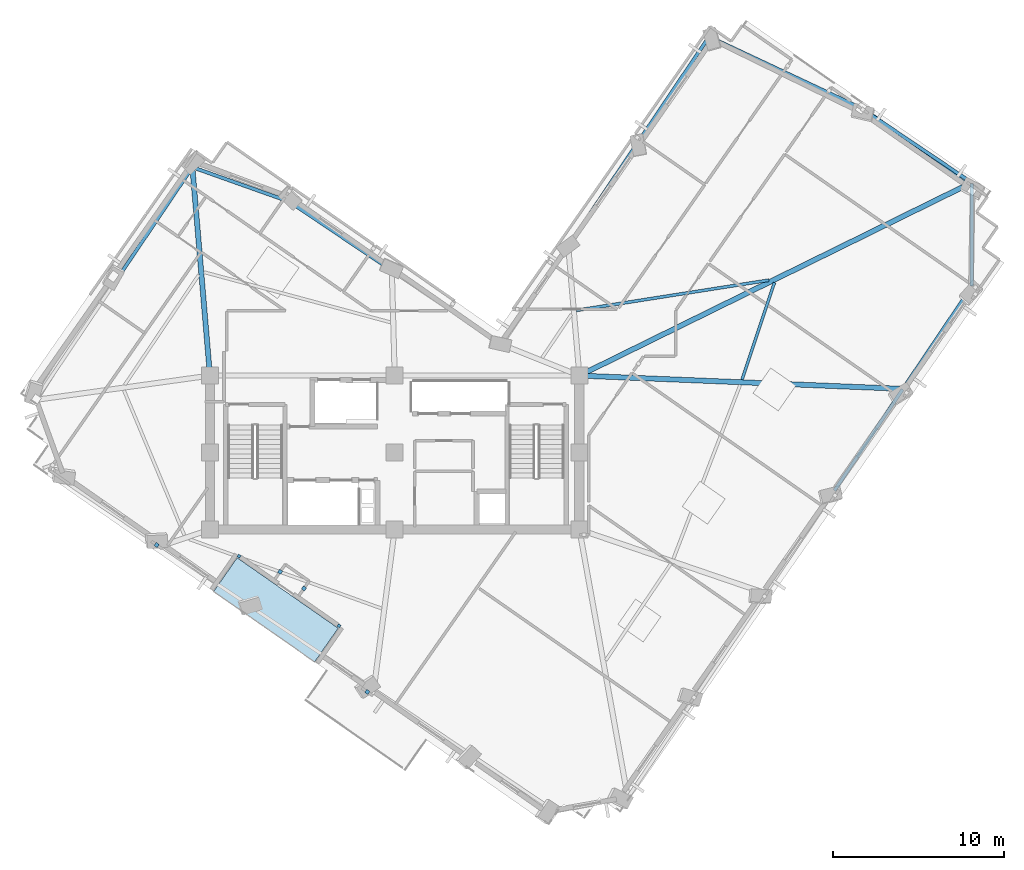
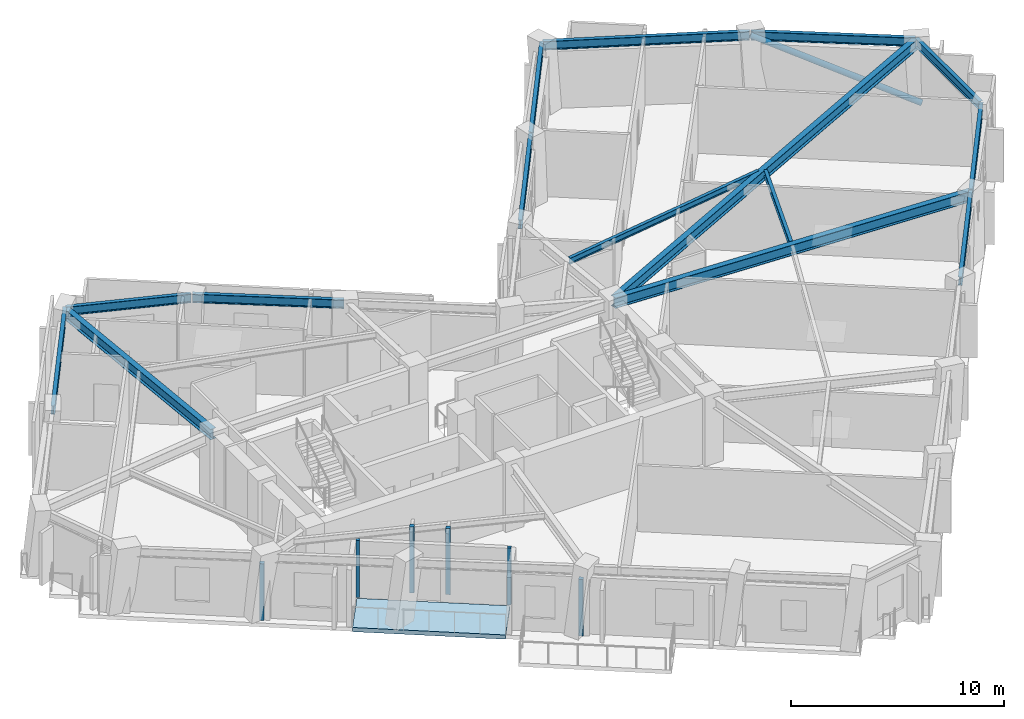
# One storey, part 2 of 12: 15 beams, 6 plates, 1 member, 1 slab.
"""IFC4 building model written with IfcOpenShell, lengths in metres."""

from ifc_helpers import new_model, si_unit, direction, frame, origin, origin_2d, place, context, subcontext, project, spatial, polyline, rectangle, hollow_circle, i_section, outline, extrude, material, layer, layer_set, material_profile, profile_set, type_object, element, save


model = new_model("IFC4")

# Units and contexts
model_context = context("Model", 3, precision=1e-05, world=origin(), true_north=direction((0.0, 1.0)))
body_context = subcontext(model_context, "Body", "Model", "MODEL_VIEW")
ifc_project = project(units=[si_unit("LENGTHUNIT", "METRE"), si_unit("AREAUNIT", "SQUARE_METRE"), si_unit("VOLUMEUNIT", "CUBIC_METRE"), si_unit("PLANEANGLEUNIT", "RADIAN"), si_unit("MASSUNIT", "GRAM", prefix="KILO")], contexts=[model_context])

# Site, building, storey
site_placement = place(None, origin())
site = spatial("IfcSite", under=ifc_project, at=site_placement, CompositionType="ELEMENT")
building_placement = place(site_placement, origin())
building = spatial("IfcBuilding", under=site, at=building_placement, Name="Gaonmaruhae Medical Tower", CompositionType="ELEMENT")
storey_placement = place(building_placement, frame((0.0, 0.0, 259.199951171875)))
storey = spatial("IfcBuildingStorey", under=building, at=storey_placement, Name="L62", CompositionType="ELEMENT", Elevation=259.199951171875)

# Beams
ifc_material_1 = material(Name="Steel SM355", Category="steel")
ifc_material_profile_1 = material_profile(ifc_material_1, i_section(OverallWidth=0.175048828125, OverallDepth=0.35009765625, WebThickness=0.007080078125, FlangeThickness=0.010986328125, FilletRadius=0.012939453125, at=origin_2d()), Name="H-350x175x7x11")
ifc_profile_set_1 = profile_set([ifc_material_profile_1], Name="Steel SM355")
beam_type_1 = type_object("IfcBeamType", Name="FJ-02 Upper Zone Ward Floor Joist (H-350x175x7x11)", PredefinedType="JOIST", material=ifc_profile_set_1)
beam_1_placement = place(storey_placement, frame((45.1083984375, 16.565673828125, 3.60498046875), z_axis=(0.316276775426, 0.948666960174, 0.0), x_axis=(-0.948666960174, 0.316276775426, 0.0)))
element("IfcBeam", 1, at=beam_1_placement, inside=storey, type_object=beam_type_1, Name="L62 Secondary Floor Joist FJ03", PredefinedType="JOIST", context=body_context, shape_type="SweptSolid", body=[
    extrude(i_section(OverallWidth=0.175048828125, OverallDepth=0.35009765625, WebThickness=0.007080078125, FlangeThickness=0.010986328125, FilletRadius=0.012939453125, at=origin_2d()), origin(), (0.0, 0.0, 1.0), 5.977783203125),
])
beam_2_placement = place(storey_placement, frame((46.671630859375, 22.380126953125, 3.60498046875), z_axis=(-0.987881447694, -0.155210326016, 0.0), x_axis=(0.155210326016, -0.987881447694, 0.0)))
element("IfcBeam", 2, at=beam_2_placement, inside=storey, type_object=beam_type_1, Name="L62 Secondary Floor Joist FJ04", PredefinedType="JOIST", context=body_context, shape_type="SweptSolid", body=[
    extrude(i_section(OverallWidth=0.175048828125, OverallDepth=0.35009765625, WebThickness=0.007080078125, FlangeThickness=0.010986328125, FilletRadius=0.012939453125, at=origin_2d()), origin(), (0.0, 0.0, 1.0), 11.383544921875),
])

# Member
ifc_material_profile_2 = material_profile(ifc_material_1, hollow_circle(Radius=0.1591796875, WallThickness=0.01025390625, at=origin_2d()), Name="CHS-318.5x10.3")
ifc_profile_set_2 = profile_set([ifc_material_profile_2], Name="Steel SM355")
member_type = type_object("IfcMemberType", Name="PB-03 Perimeter Solid-Bay Tube Brace Upper (CHS-318.5x10.3)", PredefinedType="BRACE", material=ifc_profile_set_2)
member_placement = place(storey_placement, frame((58.586181640625, 27.670654296875, 0.25), z_axis=(-0.747873167162, 0.546990044431, 0.376148397754), x_axis=(-0.590345341005, -0.807150777955, 0.0)))
element("IfcMember", 3, at=member_placement, inside=storey, type_object=member_type, Name="L62 Perimeter Tube Solid-Bay Brace E01-E02", PredefinedType="BRACE", context=body_context, shape_type="SweptSolid", body=[
    extrude(hollow_circle(Radius=0.1591796875, WallThickness=0.01025390625, at=origin_2d()), origin(), (0.0, 0.0, 1.0), 8.719970703125),
])

# Beams
ifc_material_2 = material(Name="Steel SM420", Category="steel")
ifc_material_profile_3 = material_profile(ifc_material_2, i_section(OverallWidth=0.300048828125, OverallDepth=0.60009765625, WebThickness=0.011962890625, FlangeThickness=0.02001953125, FilletRadius=0.012939453125, at=origin_2d()), Name="H-600x300x12x20")
ifc_profile_set_3 = profile_set([ifc_material_profile_3], Name="Steel SM420")
beam_type_2 = type_object("IfcBeamType", Name="PG-04 Zone 4 Radial Floor Girder (H-600x300x12x20)", PredefinedType="BEAM", material=ifc_profile_set_3)
beam_3_placement = place(storey_placement, frame((35.64990234375, 16.7978515625, 3.47998046875), z_axis=(0.999159827795, -0.040983393227, 0.0), x_axis=(0.040983393227, 0.999159827795, 0.0)))
element("IfcBeam", 4, at=beam_3_placement, inside=storey, type_object=beam_type_2, Name="L62 Radial Primary Girder S05", PredefinedType="BEAM", context=body_context, shape_type="SweptSolid", body=[
    extrude(i_section(OverallWidth=0.300048828125, OverallDepth=0.60009765625, WebThickness=0.011962890625, FlangeThickness=0.02001953125, FilletRadius=0.012939453125, at=origin_2d()), origin(), (0.0, 0.0, 1.0), 18.830322265625),
])
beam_4_placement = place(storey_placement, frame((35.644775390625, 16.822021484375, 3.47998046875), z_axis=(0.897275873917, 0.441470277693, 0.0), x_axis=(-0.441470277693, 0.897275873917, 0.0)))
element("IfcBeam", 5, at=beam_4_placement, inside=storey, type_object=beam_type_2, Name="L62 Radial Primary Girder E01", PredefinedType="BEAM", context=body_context, shape_type="SweptSolid", body=[
    extrude(i_section(OverallWidth=0.300048828125, OverallDepth=0.60009765625, WebThickness=0.011962890625, FlangeThickness=0.02001953125, FilletRadius=0.012939453125, at=origin_2d()), origin(), (0.0, 0.0, 1.0), 25.4609375),
])
beam_5_placement = place(storey_placement, frame((13.995849609375, 16.849853515625, 3.47998046875), z_axis=(-0.084224914789, 0.99644676914, 0.0), x_axis=(-0.99644676914, -0.084224914789, 0.0)))
element("IfcBeam", 6, at=beam_5_placement, inside=storey, type_object=beam_type_2, Name="L62 Radial Primary Girder N01", PredefinedType="BEAM", context=body_context, shape_type="SweptSolid", body=[
    extrude(i_section(OverallWidth=0.300048828125, OverallDepth=0.60009765625, WebThickness=0.011962890625, FlangeThickness=0.02001953125, FilletRadius=0.012939453125, at=origin_2d()), origin(), (0.0, 0.0, 1.0), 12.128173828125),
])
ifc_material_profile_4 = material_profile(ifc_material_1, i_section(OverallWidth=0.199951171875, OverallDepth=0.5, WebThickness=0.010009765625, FlangeThickness=0.01611328125, FilletRadius=0.012939453125, at=origin_2d()), Name="H-500x200x10x16")
ifc_profile_set_4 = profile_set([ifc_material_profile_4], Name="Steel SM355")
beam_type_3 = type_object("IfcBeamType", Name="SP-02 Upper Perimeter Spandrel Beam (H-500x200x10x16)", PredefinedType="SPANDREL", material=ifc_profile_set_4)
for number, where, z_axis, x_axis, name in (
    (7, (50.515625, 10.08447265625, 3.530029296875), (0.558468943458, 0.829525430106, 0.0), (-0.829525430106, 0.558468943458, 0.0), "L62 Perimeter Spandrel Beam S04-S05"),
    (8, (54.53662109375, 16.05712890625, 3.530029296875), (0.558468943458, 0.829525430106, 0.0), (-0.829525430106, 0.558468943458, 0.0), "L62 Perimeter Spandrel Beam S05-S06"),
):
    element("IfcBeam", number, at=place(storey_placement, frame(where, z_axis=z_axis, x_axis=x_axis)), inside=storey, type_object=beam_type_3, Name=name, PredefinedType="SPANDREL", context=body_context, shape_type="SweptSolid", body=[
        extrude(i_section(OverallWidth=0.199951171875, OverallDepth=0.5, WebThickness=0.010009765625, FlangeThickness=0.01611328125, FilletRadius=0.012939453125, at=origin_2d()), origin(), (0.0, 0.0, 1.0), 7.1201171875),
    ])
beam_6_placement = place(storey_placement, frame((58.53515625, 22.03662109375, 3.530029296875), z_axis=(0.0, 1.0, 0.0), x_axis=(-1.0, 0.0, 0.0)))
element("IfcBeam", 9, at=beam_6_placement, inside=storey, type_object=beam_type_3, Name="L62 Perimeter Spandrel Beam S06-E01", PredefinedType="SPANDREL", context=body_context, shape_type="SweptSolid", body=[
    extrude(i_section(OverallWidth=0.199951171875, OverallDepth=0.5, WebThickness=0.010009765625, FlangeThickness=0.01611328125, FilletRadius=0.012939453125, at=origin_2d()), origin(), (0.0, 0.0, 1.0), 6.0078125),
])
beam_7_placement = place(storey_placement, frame((58.501953125, 28.106689453125, 3.530029296875), z_axis=(-0.829521540461, 0.558474720924, 0.0), x_axis=(-0.558474720924, -0.829521540461, 0.0)))
element("IfcBeam", 10, at=beam_7_placement, inside=storey, type_object=beam_type_3, Name="L62 Perimeter Spandrel Beam E01-E02", PredefinedType="SPANDREL", context=body_context, shape_type="SweptSolid", body=[
    extrude(i_section(OverallWidth=0.199951171875, OverallDepth=0.5, WebThickness=0.010009765625, FlangeThickness=0.01611328125, FilletRadius=0.012939453125, at=origin_2d()), origin(), (0.0, 0.0, 1.0), 7.72021484375),
])
beam_8_placement = place(storey_placement, frame((52.028564453125, 32.45751953125, 3.530029296875), z_axis=(-0.905127068649, 0.425141140798, 0.0), x_axis=(-0.425141140798, -0.905127068649, 0.0)))
element("IfcBeam", 11, at=beam_8_placement, inside=storey, type_object=beam_type_3, Name="L62 Perimeter Spandrel Beam E02-E03", PredefinedType="SPANDREL", context=body_context, shape_type="SweptSolid", body=[
    extrude(i_section(OverallWidth=0.199951171875, OverallDepth=0.5, WebThickness=0.010009765625, FlangeThickness=0.01611328125, FilletRadius=0.012939453125, at=origin_2d()), origin(), (0.0, 0.0, 1.0), 9.7353515625),
])
beam_9_placement = place(storey_placement, frame((43.158447265625, 36.580078125, 3.530029296875), z_axis=(-0.558480609178, -0.829517576168, 0.0), x_axis=(0.829517576168, -0.558480609178, 0.0)))
element("IfcBeam", 12, at=beam_9_placement, inside=storey, type_object=beam_type_3, Name="L62 Perimeter Spandrel Beam E03-EN01", PredefinedType="SPANDREL", context=body_context, shape_type="SweptSolid", body=[
    extrude(i_section(OverallWidth=0.199951171875, OverallDepth=0.5, WebThickness=0.010009765625, FlangeThickness=0.01611328125, FilletRadius=0.012939453125, at=origin_2d()), origin(), (0.0, 0.0, 1.0), 7.469970703125),
])
for number, where, z_axis, x_axis, name in (
    (13, (38.94189453125, 30.3173828125, 3.530029296875), (-0.558468943458, -0.829525430106, 0.0), (0.829525430106, -0.558468943458, 0.0), "L62 Perimeter Spandrel Beam EN01-EN02"),
    (14, (24.599853515625, 22.963134765625, 3.530029296875), (-0.829525430106, 0.558468943458, 0.0), (-0.558468943458, -0.829525430106, 0.0), "L62 Perimeter Spandrel Beam NE01-NE02"),
):
    element("IfcBeam", number, at=place(storey_placement, frame(where, z_axis=z_axis, x_axis=x_axis)), inside=storey, type_object=beam_type_3, Name=name, PredefinedType="SPANDREL", context=body_context, shape_type="SweptSolid", body=[
        extrude(i_section(OverallWidth=0.199951171875, OverallDepth=0.5, WebThickness=0.010009765625, FlangeThickness=0.01611328125, FilletRadius=0.012939453125, at=origin_2d()), origin(), (0.0, 0.0, 1.0), 7.1201171875),
    ])
beam_10_placement = place(storey_placement, frame((18.622802734375, 26.97509765625, 3.530029296875), z_axis=(-0.942233080652, 0.334957940233, 0.0), x_axis=(-0.334957940233, -0.942233080652, 0.0)))
element("IfcBeam", 15, at=beam_10_placement, inside=storey, type_object=beam_type_3, Name="L62 Perimeter Spandrel Beam NE02-N01", PredefinedType="SPANDREL", context=body_context, shape_type="SweptSolid", body=[
    extrude(i_section(OverallWidth=0.199951171875, OverallDepth=0.5, WebThickness=0.010009765625, FlangeThickness=0.01611328125, FilletRadius=0.012939453125, at=origin_2d()), origin(), (0.0, 0.0, 1.0), 5.959228515625),
])
beam_11_placement = place(storey_placement, frame((12.94775390625, 28.951416015625, 3.530029296875), z_axis=(-0.558475844832, -0.82952078379, 0.0), x_axis=(0.82952078379, -0.558475844832, 0.0)))
element("IfcBeam", 16, at=beam_11_placement, inside=storey, type_object=beam_type_3, Name="L62 Perimeter Spandrel Beam N01-N02", PredefinedType="SPANDREL", context=body_context, shape_type="SweptSolid", body=[
    extrude(i_section(OverallWidth=0.199951171875, OverallDepth=0.5, WebThickness=0.010009765625, FlangeThickness=0.01611328125, FilletRadius=0.012939453125, at=origin_2d()), origin(), (0.0, 0.0, 1.0), 8.1201171875),
])

# Plates
ifc_material_3 = material(Name="Anodised aluminium 6063-T6", Category="aluminium")
ifc_layer_1 = layer(ifc_material_3, 0.011962890625)
ifc_layer_set_1 = layer_set([ifc_layer_1], Name="Anodised aluminium 6063-T6")
plate_type = type_object("IfcPlateType", Name="PP-01 Interior Partition Corner Stiffener Plate", PredefinedType="SHEET", material=ifc_layer_set_1)
for number, where, z_axis, x_axis, name in (
    (17, (21.542724609375, 2.168212890625, 0.0), (0.0, 0.0, 1.0), (-0.82014188992, 0.572160187709, 0.0), "L62 Partition End Jamb Post Plate PLT-L62-ENDP-TERB-0"),
    (18, (15.703369140625, 6.241943359375, 0.0), (0.0, 0.0, 1.0), (-0.82014188992, 0.572160187709, 0.0), "L62 Partition End Jamb Post Plate PLT-L62-ENDP-TERB-1"),
):
    element("IfcPlate", number, at=place(storey_placement, frame(where, z_axis=z_axis, x_axis=x_axis)), inside=storey, type_object=plate_type, Name=name, PredefinedType="SHEET", context=body_context, shape_type="SweptSolid", body=[
        extrude(rectangle(XDim=0.179931640625, YDim=0.179931640625, at=origin_2d()), origin(), (0.0, 0.0, 1.0), 3.264892578125),
    ])
plate_1_placement = place(storey_placement, frame((23.197998046875, -1.693603515625, 0.0), z_axis=(0.0, 0.0, 1.0), x_axis=(-0.819942118375, 0.572446436371, 0.0)))
element("IfcPlate", 19, at=plate_1_placement, inside=storey, type_object=plate_type, Name="L62 Partition Corner Stiffener Plate PLT-L62-JGP-PW038", PredefinedType="SHEET", context=body_context, shape_type="SweptSolid", body=[
    extrude(rectangle(XDim=0.219970703125, YDim=0.219970703125, at=origin_2d()), origin(), (0.0, 0.0, 1.0), 3.2451171875),
])
for number, where, z_axis, x_axis, name in (
    (20, (19.493896484375, 4.3564453125, 0.0), (0.0, 0.0, 1.0), (0.572503677735, 0.819902152077, 0.0), "L62 Partition Corner Stiffener Plate PLT-L62-JGP-PW041"),
    (21, (18.10009765625, 5.32958984375, 0.0), (0.0, 0.0, 1.0), (-0.572503677735, -0.819902152077, 0.0), "L62 Partition Corner Stiffener Plate PLT-L62-JGP-PW043"),
):
    element("IfcPlate", number, at=place(storey_placement, frame(where, z_axis=z_axis, x_axis=x_axis)), inside=storey, type_object=plate_type, Name=name, PredefinedType="SHEET", context=body_context, shape_type="SweptSolid", body=[
        extrude(rectangle(XDim=0.219970703125, YDim=0.219970703125, at=origin_2d()), origin(), (0.0, 0.0, 1.0), 3.780029296875),
    ])
plate_2_placement = place(storey_placement, frame((10.885009765625, 6.896484375, 0.0), z_axis=(0.0, 0.0, 1.0), x_axis=(-0.820231754513, 0.572031353064, 0.0)))
element("IfcPlate", 22, at=plate_2_placement, inside=storey, type_object=plate_type, Name="L62 Partition Corner Stiffener Plate PLT-L62-JGP-PW048", PredefinedType="SHEET", context=body_context, shape_type="SweptSolid", body=[
    extrude(rectangle(XDim=0.219970703125, YDim=0.219970703125, at=origin_2d()), origin(), (0.0, 0.0, 1.0), 3.2451171875),
])

# Slab
ifc_material_4 = material(Name="Concrete C40/50", Category="concrete")
ifc_layer_2 = layer(ifc_material_4, 0.239990234375)
ifc_layer_set_2 = layer_set([ifc_layer_2], Name="Concrete C40/50")
slab_type = type_object("IfcSlabType", Name="TS-240 Sky Garden & Recovery Terrace Slab", PredefinedType="FLOOR", material=ifc_layer_set_2)
slab_placement = place(storey_placement, frame((0.0, 0.0, -0.239990234375)))
element("IfcSlab", 23, at=slab_placement, inside=storey, type_object=slab_type, Name="L62 Outdoor Recovery Terrace Slab", PredefinedType="FLOOR", context=body_context, shape_type="SweptSolid", body=[
    extrude(outline(polyline([(20.122314453125, 0.06201171875), (21.49560546875, 2.030517578125), (15.59033203125, 6.14990234375), (14.21728515625, 4.181640625), (20.122314453125, 0.06201171875)])), origin(), (0.0, 0.0, 1.0), 0.239990234375),
])

save(model, "model.ifc")
